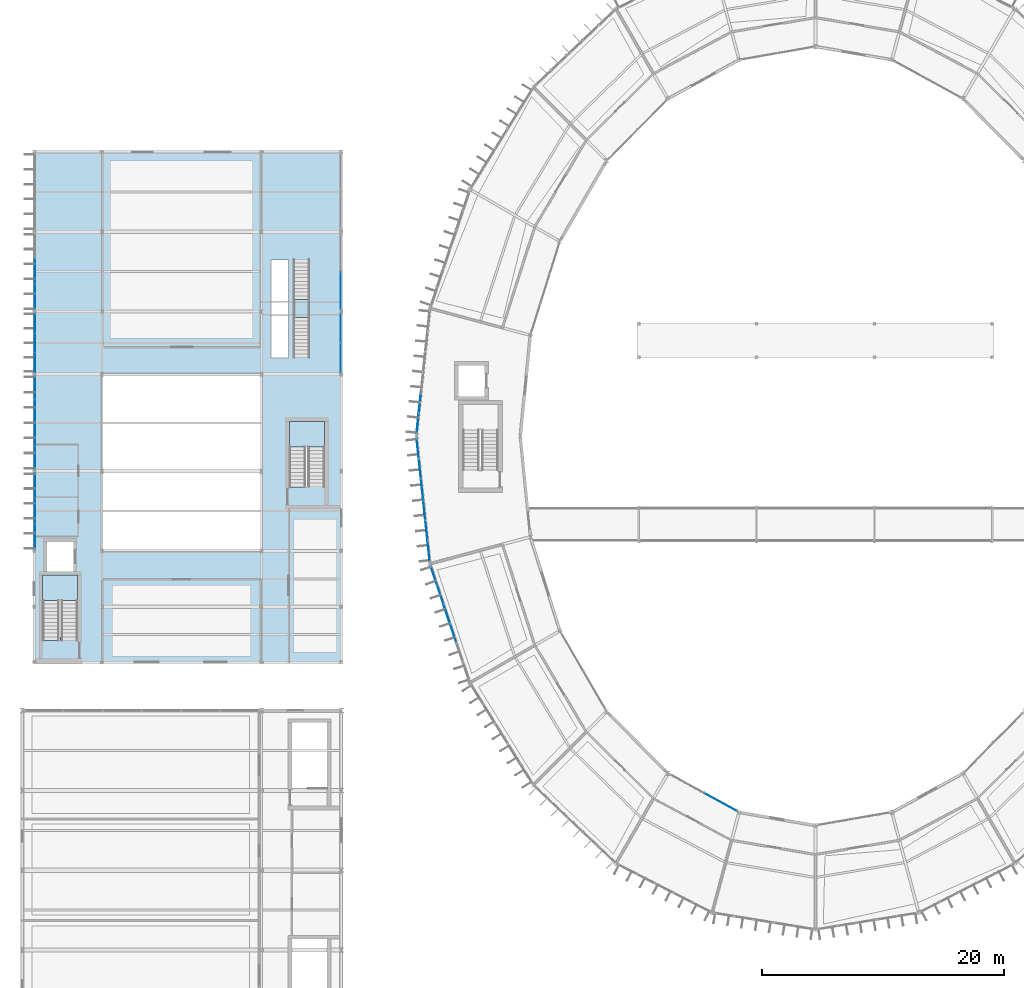
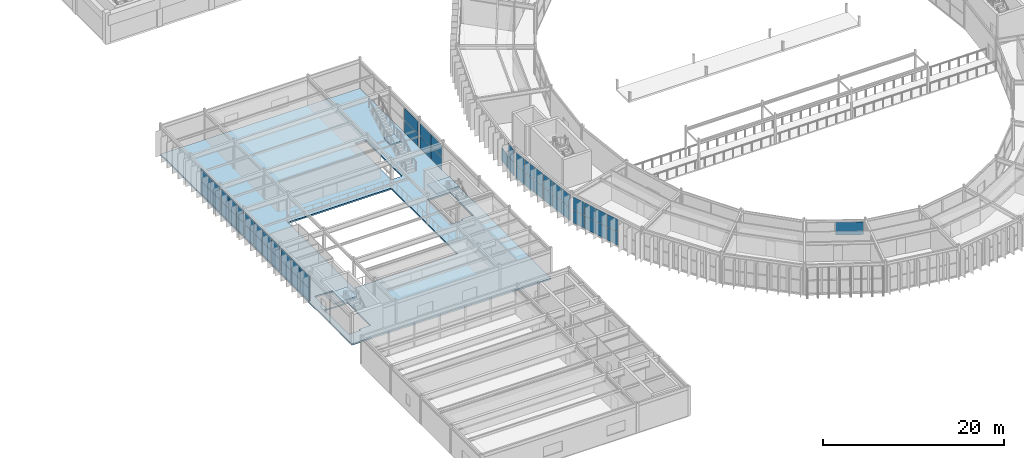
# One storey, part 100 of 147: 54 plates, 4 slabs, 13 elements without a shape of their own.
"""IFC4 building model written with IfcOpenShell, lengths in metres."""

from ifc_helpers import new_model, si_unit, direction, frame, origin, origin_2d, place, context, subcontext, project, spatial, polyline, rectangle, outline, extrude, material, layer, layer_set, type_object, element, aggregate, save


model = new_model("IFC4")

# Units and contexts
model_context = context("Model", 3, precision=1e-05, world=origin(), true_north=direction((0.0, 1.0)))
body_context = subcontext(model_context, "Body", "Model", "MODEL_VIEW")
ifc_project = project(units=[si_unit("LENGTHUNIT", "METRE"), si_unit("AREAUNIT", "SQUARE_METRE"), si_unit("VOLUMEUNIT", "CUBIC_METRE"), si_unit("PLANEANGLEUNIT", "RADIAN"), si_unit("MASSUNIT", "GRAM", prefix="KILO")], contexts=[model_context])

# Site, building, storey
site_placement = place(None, origin())
site = spatial("IfcSite", under=ifc_project, at=site_placement, CompositionType="ELEMENT")
building_placement = place(site_placement, origin())
building = spatial("IfcBuilding", under=site, at=building_placement, Name="Karori Crest Natural Sciences Institute", CompositionType="ELEMENT")
storey_placement = place(building_placement, frame((0.0, 0.0, 9.10009765625)))
storey = spatial("IfcBuildingStorey", under=building, at=storey_placement, Name="L02", CompositionType="ELEMENT", Elevation=9.10009765625)

# Curtain wall, plates
ifc_material_1 = material(Name="Anodised architectural aluminium 6063-T6", Category="aluminium")
curtain_wall_type_1 = type_object("IfcCurtainWallType", Name="CWT-03", PredefinedType="NOTDEFINED", material=ifc_material_1)
curtain_wall_1_placement = place(storey_placement, origin())
curtain_wall_1 = element("IfcCurtainWall", 1, at=curtain_wall_1_placement, inside=storey, type_object=curtain_wall_type_1, Name="Curtain wall CW-0083", PredefinedType="NOTDEFINED")
ifc_material_2 = material(Name="Double low-E laminated glass", Category="glass")
ifc_layer_1 = layer(ifc_material_2, 0.02392578125, Name="Double low-E laminated glass")
ifc_layer_set_1 = layer_set([ifc_layer_1], Name="Double low-E laminated glass")
plate_type_1 = type_object("IfcPlateType", Name="CWP-01", PredefinedType="CURTAIN_PANEL", material=ifc_layer_set_1)
plate_1_placement = place(storey_placement, frame((34.4130859375, 40.385498046875, 0.06494140625), z_axis=(0.0, 0.0, 1.0), x_axis=(-0.105881615789, 0.994378742451, 0.0)))
plate_1 = element("IfcPlate", 2, at=plate_1_placement, type_object=plate_type_1, Name="CW-0083 panel 1.1", PredefinedType="CURTAIN_PANEL", context=body_context, shape_type="SweptSolid", body=[
    extrude(rectangle(XDim=1.60107421875, YDim=0.02392578125, at=origin_2d()), origin(), (0.0, 0.0, 1.0), 1.715087890625),
])
plate_2_placement = place(storey_placement, frame((34.4130859375, 40.385498046875, 1.8447265625), z_axis=(0.0, 0.0, 1.0), x_axis=(-0.105881615789, 0.994378742451, 0.0)))
plate_2 = element("IfcPlate", 3, at=plate_2_placement, type_object=plate_type_1, Name="CW-0083 panel 1.2", PredefinedType="CURTAIN_PANEL", context=body_context, shape_type="SweptSolid", body=[
    extrude(rectangle(XDim=1.60107421875, YDim=0.02392578125, at=origin_2d()), origin(), (0.0, 0.0, 1.0), 1.715087890625),
])
plate_3_placement = place(storey_placement, frame((34.233642578125, 42.07080078125, 0.06494140625), z_axis=(0.0, 0.0, 1.0), x_axis=(-0.105881615789, 0.994378742451, 0.0)))
plate_3 = element("IfcPlate", 4, at=plate_3_placement, type_object=plate_type_1, Name="CW-0083 panel 2.1", PredefinedType="CURTAIN_PANEL", context=body_context, shape_type="SweptSolid", body=[
    extrude(rectangle(XDim=1.638427734375, YDim=0.02392578125, at=origin_2d()), origin(), (0.0, 0.0, 1.0), 1.715087890625),
])
plate_4_placement = place(storey_placement, frame((34.233642578125, 42.07080078125, 1.8447265625), z_axis=(0.0, 0.0, 1.0), x_axis=(-0.105881615789, 0.994378742451, 0.0)))
plate_4 = element("IfcPlate", 5, at=plate_4_placement, type_object=plate_type_1, Name="CW-0083 panel 2.2", PredefinedType="CURTAIN_PANEL", context=body_context, shape_type="SweptSolid", body=[
    extrude(rectangle(XDim=1.638427734375, YDim=0.02392578125, at=origin_2d()), origin(), (0.0, 0.0, 1.0), 1.715087890625),
])
plate_5_placement = place(storey_placement, frame((34.05224609375, 43.77490234375, 0.06494140625), z_axis=(0.0, 0.0, 1.0), x_axis=(-0.105881615789, 0.994378742451, 0.0)))
plate_5 = element("IfcPlate", 6, at=plate_5_placement, type_object=plate_type_1, Name="CW-0083 panel 3.1", PredefinedType="CURTAIN_PANEL", context=body_context, shape_type="SweptSolid", body=[
    extrude(rectangle(XDim=1.638427734375, YDim=0.02392578125, at=origin_2d()), origin(), (0.0, 0.0, 1.0), 1.715087890625),
])
plate_6_placement = place(storey_placement, frame((34.05224609375, 43.77490234375, 1.8447265625), z_axis=(0.0, 0.0, 1.0), x_axis=(-0.105881615789, 0.994378742451, 0.0)))
plate_6 = element("IfcPlate", 7, at=plate_6_placement, type_object=plate_type_1, Name="CW-0083 panel 3.2", PredefinedType="CURTAIN_PANEL", context=body_context, shape_type="SweptSolid", body=[
    extrude(rectangle(XDim=1.638427734375, YDim=0.02392578125, at=origin_2d()), origin(), (0.0, 0.0, 1.0), 1.715087890625),
])
plate_7_placement = place(storey_placement, frame((33.870849609375, 45.478759765625, 0.06494140625), z_axis=(0.0, 0.0, 1.0), x_axis=(-0.105881615789, 0.994378742451, 0.0)))
plate_7 = element("IfcPlate", 8, at=plate_7_placement, type_object=plate_type_1, Name="CW-0083 panel 4.1", PredefinedType="CURTAIN_PANEL", context=body_context, shape_type="SweptSolid", body=[
    extrude(rectangle(XDim=1.638427734375, YDim=0.02392578125, at=origin_2d()), origin(), (0.0, 0.0, 1.0), 1.715087890625),
])
plate_8_placement = place(storey_placement, frame((33.870849609375, 45.478759765625, 1.8447265625), z_axis=(0.0, 0.0, 1.0), x_axis=(-0.105881615789, 0.994378742451, 0.0)))
plate_8 = element("IfcPlate", 9, at=plate_8_placement, type_object=plate_type_1, Name="CW-0083 panel 4.2", PredefinedType="CURTAIN_PANEL", context=body_context, shape_type="SweptSolid", body=[
    extrude(rectangle(XDim=1.638427734375, YDim=0.02392578125, at=origin_2d()), origin(), (0.0, 0.0, 1.0), 1.715087890625),
])
plate_9_placement = place(storey_placement, frame((33.689453125, 47.1826171875, 0.06494140625), z_axis=(0.0, 0.0, 1.0), x_axis=(-0.105881615789, 0.994378742451, 0.0)))
plate_9 = element("IfcPlate", 10, at=plate_9_placement, type_object=plate_type_1, Name="CW-0083 panel 5.1", PredefinedType="CURTAIN_PANEL", context=body_context, shape_type="SweptSolid", body=[
    extrude(rectangle(XDim=1.638427734375, YDim=0.02392578125, at=origin_2d()), origin(), (0.0, 0.0, 1.0), 1.715087890625),
])
plate_10_placement = place(storey_placement, frame((33.689453125, 47.1826171875, 1.8447265625), z_axis=(0.0, 0.0, 1.0), x_axis=(-0.105881615789, 0.994378742451, 0.0)))
plate_10 = element("IfcPlate", 11, at=plate_10_placement, type_object=plate_type_1, Name="CW-0083 panel 5.2", PredefinedType="CURTAIN_PANEL", context=body_context, shape_type="SweptSolid", body=[
    extrude(rectangle(XDim=1.638427734375, YDim=0.02392578125, at=origin_2d()), origin(), (0.0, 0.0, 1.0), 1.715087890625),
])
plate_11_placement = place(storey_placement, frame((33.510009765625, 48.867919921875, 0.06494140625), z_axis=(0.0, 0.0, 1.0), x_axis=(-0.105881615789, 0.994378742451, 0.0)))
plate_11 = element("IfcPlate", 12, at=plate_11_placement, type_object=plate_type_1, Name="CW-0083 panel 6.1", PredefinedType="CURTAIN_PANEL", context=body_context, shape_type="SweptSolid", body=[
    extrude(rectangle(XDim=1.60107421875, YDim=0.02392578125, at=origin_2d()), origin(), (0.0, 0.0, 1.0), 1.715087890625),
])
plate_12_placement = place(storey_placement, frame((33.510009765625, 48.867919921875, 1.8447265625), z_axis=(0.0, 0.0, 1.0), x_axis=(-0.105881615789, 0.994378742451, 0.0)))
plate_12 = element("IfcPlate", 13, at=plate_12_placement, type_object=plate_type_1, Name="CW-0083 panel 6.2", PredefinedType="CURTAIN_PANEL", context=body_context, shape_type="SweptSolid", body=[
    extrude(rectangle(XDim=1.60107421875, YDim=0.02392578125, at=origin_2d()), origin(), (0.0, 0.0, 1.0), 1.715087890625),
])
aggregate(curtain_wall_1, [plate_1, plate_2, plate_3, plate_4, plate_5, plate_6, plate_7, plate_8, plate_9, plate_10, plate_11, plate_12])

# Curtain wall, plate
curtain_wall_type_2 = type_object("IfcCurtainWallType", Name="CWT-12", PredefinedType="NOTDEFINED", material=ifc_material_1)
curtain_wall_2_placement = place(storey_placement, origin())
curtain_wall_2 = element("IfcCurtainWall", 14, at=curtain_wall_2_placement, inside=storey, type_object=curtain_wall_type_2, Name="Curtain wall CW-0089", PredefinedType="NOTDEFINED")
plate_13_placement = place(storey_placement, frame((58.548583984375, 19.636962890625, 1.85498046875), z_axis=(0.0, 0.0, 1.0), x_axis=(0.877463514084, -0.479643389875, 0.0)))
plate_13 = element("IfcPlate", 15, at=plate_13_placement, type_object=plate_type_1, Name="CW-0089 panel 2.2", PredefinedType="CURTAIN_PANEL", context=body_context, shape_type="SweptSolid", body=[
    extrude(rectangle(XDim=3.102783203125, YDim=0.02392578125, at=origin_2d()), origin(), (0.0, 0.0, 1.0), 1.735107421875),
])
aggregate(curtain_wall_2, [plate_13])

# Curtain wall, plates
curtain_wall_type_3 = type_object("IfcCurtainWallType", Name="CWT-17", PredefinedType="NOTDEFINED", material=ifc_material_1)
curtain_wall_3_placement = place(storey_placement, origin())
curtain_wall_3 = element("IfcCurtainWall", 16, at=curtain_wall_3_placement, inside=storey, type_object=curtain_wall_type_3, Name="Curtain wall CW-0270", PredefinedType="NOTDEFINED")
plate_14_placement = place(storey_placement, frame((1.860107421875, 41.59814453125, 0.06005859375), z_axis=(0.0, 0.0, 1.0), x_axis=(0.0, 1.0, 0.0)))
plate_14 = element("IfcPlate", 17, at=plate_14_placement, type_object=plate_type_1, Name="CW-0270 panel 1.1", PredefinedType="CURTAIN_PANEL", context=body_context, shape_type="SweptSolid", body=[
    extrude(rectangle(XDim=2.0205078125, YDim=0.02392578125, at=origin_2d()), origin(), (0.0, 0.0, 1.0), 1.632568359375),
])
plate_15_placement = place(storey_placement, frame((1.860107421875, 41.59814453125, 1.75244140625), z_axis=(0.0, 0.0, 1.0), x_axis=(0.0, 1.0, 0.0)))
plate_15 = element("IfcPlate", 18, at=plate_15_placement, type_object=plate_type_1, Name="CW-0270 panel 1.2", PredefinedType="CURTAIN_PANEL", context=body_context, shape_type="SweptSolid", body=[
    extrude(rectangle(XDim=2.0205078125, YDim=0.02392578125, at=origin_2d()), origin(), (0.0, 0.0, 1.0), 1.632568359375),
])
plate_16_placement = place(storey_placement, frame((1.860107421875, 43.699951171875, 0.06005859375), z_axis=(0.0, 0.0, 1.0), x_axis=(0.0, 1.0, 0.0)))
plate_16 = element("IfcPlate", 19, at=plate_16_placement, type_object=plate_type_1, Name="CW-0270 panel 2.1", PredefinedType="CURTAIN_PANEL", context=body_context, shape_type="SweptSolid", body=[
    extrude(rectangle(XDim=2.052978515625, YDim=0.02392578125, at=origin_2d()), origin(), (0.0, 0.0, 1.0), 1.632568359375),
])
plate_17_placement = place(storey_placement, frame((1.860107421875, 43.699951171875, 1.75244140625), z_axis=(0.0, 0.0, 1.0), x_axis=(0.0, 1.0, 0.0)))
plate_17 = element("IfcPlate", 20, at=plate_17_placement, type_object=plate_type_1, Name="CW-0270 panel 2.2", PredefinedType="CURTAIN_PANEL", context=body_context, shape_type="SweptSolid", body=[
    extrude(rectangle(XDim=2.052978515625, YDim=0.02392578125, at=origin_2d()), origin(), (0.0, 0.0, 1.0), 1.632568359375),
])
plate_18_placement = place(storey_placement, frame((1.860107421875, 45.8017578125, 0.06005859375), z_axis=(0.0, 0.0, 1.0), x_axis=(0.0, 1.0, 0.0)))
plate_18 = element("IfcPlate", 21, at=plate_18_placement, type_object=plate_type_1, Name="CW-0270 panel 3.1", PredefinedType="CURTAIN_PANEL", context=body_context, shape_type="SweptSolid", body=[
    extrude(rectangle(XDim=2.0205078125, YDim=0.02392578125, at=origin_2d()), origin(), (0.0, 0.0, 1.0), 1.632568359375),
])
plate_19_placement = place(storey_placement, frame((1.860107421875, 45.8017578125, 1.75244140625), z_axis=(0.0, 0.0, 1.0), x_axis=(0.0, 1.0, 0.0)))
plate_19 = element("IfcPlate", 22, at=plate_19_placement, type_object=plate_type_1, Name="CW-0270 panel 3.2", PredefinedType="CURTAIN_PANEL", context=body_context, shape_type="SweptSolid", body=[
    extrude(rectangle(XDim=2.0205078125, YDim=0.02392578125, at=origin_2d()), origin(), (0.0, 0.0, 1.0), 1.632568359375),
])
aggregate(curtain_wall_3, [plate_14, plate_15, plate_16, plate_17, plate_18, plate_19])

curtain_wall_4_placement = place(storey_placement, origin())
curtain_wall_4 = element("IfcCurtainWall", 23, at=curtain_wall_4_placement, inside=storey, type_object=curtain_wall_type_3, Name="Curtain wall CW-0271", PredefinedType="NOTDEFINED")
plate_20_placement = place(storey_placement, frame((1.860107421875, 48.1083984375, 0.06005859375), z_axis=(0.0, 0.0, 1.0), x_axis=(0.0, 1.0, 0.0)))
plate_20 = element("IfcPlate", 24, at=plate_20_placement, type_object=plate_type_1, Name="CW-0271 panel 1.1", PredefinedType="CURTAIN_PANEL", context=body_context, shape_type="SweptSolid", body=[
    extrude(rectangle(XDim=1.841064453125, YDim=0.02392578125, at=origin_2d()), origin(), (0.0, 0.0, 1.0), 1.632568359375),
])
plate_21_placement = place(storey_placement, frame((1.860107421875, 48.1083984375, 1.75244140625), z_axis=(0.0, 0.0, 1.0), x_axis=(0.0, 1.0, 0.0)))
plate_21 = element("IfcPlate", 25, at=plate_21_placement, type_object=plate_type_1, Name="CW-0271 panel 1.2", PredefinedType="CURTAIN_PANEL", context=body_context, shape_type="SweptSolid", body=[
    extrude(rectangle(XDim=1.841064453125, YDim=0.02392578125, at=origin_2d()), origin(), (0.0, 0.0, 1.0), 1.632568359375),
])
plate_22_placement = place(storey_placement, frame((1.860107421875, 50.03076171875, 0.06005859375), z_axis=(0.0, 0.0, 1.0), x_axis=(0.0, 1.0, 0.0)))
plate_22 = element("IfcPlate", 26, at=plate_22_placement, type_object=plate_type_1, Name="CW-0271 panel 2.1", PredefinedType="CURTAIN_PANEL", context=body_context, shape_type="SweptSolid", body=[
    extrude(rectangle(XDim=1.87353515625, YDim=0.02392578125, at=origin_2d()), origin(), (0.0, 0.0, 1.0), 1.632568359375),
])
plate_23_placement = place(storey_placement, frame((1.860107421875, 50.03076171875, 1.75244140625), z_axis=(0.0, 0.0, 1.0), x_axis=(0.0, 1.0, 0.0)))
plate_23 = element("IfcPlate", 27, at=plate_23_placement, type_object=plate_type_1, Name="CW-0271 panel 2.2", PredefinedType="CURTAIN_PANEL", context=body_context, shape_type="SweptSolid", body=[
    extrude(rectangle(XDim=1.87353515625, YDim=0.02392578125, at=origin_2d()), origin(), (0.0, 0.0, 1.0), 1.632568359375),
])
plate_24_placement = place(storey_placement, frame((1.860107421875, 51.96923828125, 0.06005859375), z_axis=(0.0, 0.0, 1.0), x_axis=(0.0, 1.0, 0.0)))
plate_24 = element("IfcPlate", 28, at=plate_24_placement, type_object=plate_type_1, Name="CW-0271 panel 3.1", PredefinedType="CURTAIN_PANEL", context=body_context, shape_type="SweptSolid", body=[
    extrude(rectangle(XDim=1.87353515625, YDim=0.02392578125, at=origin_2d()), origin(), (0.0, 0.0, 1.0), 1.632568359375),
])
plate_25_placement = place(storey_placement, frame((1.860107421875, 51.96923828125, 1.75244140625), z_axis=(0.0, 0.0, 1.0), x_axis=(0.0, 1.0, 0.0)))
plate_25 = element("IfcPlate", 29, at=plate_25_placement, type_object=plate_type_1, Name="CW-0271 panel 3.2", PredefinedType="CURTAIN_PANEL", context=body_context, shape_type="SweptSolid", body=[
    extrude(rectangle(XDim=1.87353515625, YDim=0.02392578125, at=origin_2d()), origin(), (0.0, 0.0, 1.0), 1.632568359375),
])
plate_26_placement = place(storey_placement, frame((1.860107421875, 53.8916015625, 0.06005859375), z_axis=(0.0, 0.0, 1.0), x_axis=(0.0, 1.0, 0.0)))
plate_26 = element("IfcPlate", 30, at=plate_26_placement, type_object=plate_type_1, Name="CW-0271 panel 4.1", PredefinedType="CURTAIN_PANEL", context=body_context, shape_type="SweptSolid", body=[
    extrude(rectangle(XDim=1.841064453125, YDim=0.02392578125, at=origin_2d()), origin(), (0.0, 0.0, 1.0), 1.632568359375),
])
plate_27_placement = place(storey_placement, frame((1.860107421875, 53.8916015625, 1.75244140625), z_axis=(0.0, 0.0, 1.0), x_axis=(0.0, 1.0, 0.0)))
plate_27 = element("IfcPlate", 31, at=plate_27_placement, type_object=plate_type_1, Name="CW-0271 panel 4.2", PredefinedType="CURTAIN_PANEL", context=body_context, shape_type="SweptSolid", body=[
    extrude(rectangle(XDim=1.841064453125, YDim=0.02392578125, at=origin_2d()), origin(), (0.0, 0.0, 1.0), 1.632568359375),
])
aggregate(curtain_wall_4, [plate_20, plate_21, plate_22, plate_23, plate_24, plate_25, plate_26, plate_27])

curtain_wall_5_placement = place(storey_placement, origin())
curtain_wall_5 = element("IfcCurtainWall", 32, at=curtain_wall_5_placement, inside=storey, type_object=curtain_wall_type_3, Name="Curtain wall CW-0272", PredefinedType="NOTDEFINED")
plate_28_placement = place(storey_placement, frame((1.860107421875, 55.96484375, 0.06005859375), z_axis=(0.0, 0.0, 1.0), x_axis=(0.0, 1.0, 0.0)))
plate_28 = element("IfcPlate", 33, at=plate_28_placement, type_object=plate_type_1, Name="CW-0272 panel 1.1", PredefinedType="CURTAIN_PANEL", context=body_context, shape_type="SweptSolid", body=[
    extrude(rectangle(XDim=1.553955078125, YDim=0.02392578125, at=origin_2d()), origin(), (0.0, 0.0, 1.0), 1.632568359375),
])
plate_29_placement = place(storey_placement, frame((1.860107421875, 55.96484375, 1.75244140625), z_axis=(0.0, 0.0, 1.0), x_axis=(0.0, 1.0, 0.0)))
plate_29 = element("IfcPlate", 34, at=plate_29_placement, type_object=plate_type_1, Name="CW-0272 panel 1.2", PredefinedType="CURTAIN_PANEL", context=body_context, shape_type="SweptSolid", body=[
    extrude(rectangle(XDim=1.553955078125, YDim=0.02392578125, at=origin_2d()), origin(), (0.0, 0.0, 1.0), 1.632568359375),
])
plate_30_placement = place(storey_placement, frame((1.860107421875, 57.60009765625, 0.06005859375), z_axis=(0.0, 0.0, 1.0), x_axis=(0.0, 1.0, 0.0)))
plate_30 = element("IfcPlate", 35, at=plate_30_placement, type_object=plate_type_1, Name="CW-0272 panel 2.1", PredefinedType="CURTAIN_PANEL", context=body_context, shape_type="SweptSolid", body=[
    extrude(rectangle(XDim=1.58642578125, YDim=0.02392578125, at=origin_2d()), origin(), (0.0, 0.0, 1.0), 1.632568359375),
])
plate_31_placement = place(storey_placement, frame((1.860107421875, 57.60009765625, 1.75244140625), z_axis=(0.0, 0.0, 1.0), x_axis=(0.0, 1.0, 0.0)))
plate_31 = element("IfcPlate", 36, at=plate_31_placement, type_object=plate_type_1, Name="CW-0272 panel 2.2", PredefinedType="CURTAIN_PANEL", context=body_context, shape_type="SweptSolid", body=[
    extrude(rectangle(XDim=1.58642578125, YDim=0.02392578125, at=origin_2d()), origin(), (0.0, 0.0, 1.0), 1.632568359375),
])
plate_32_placement = place(storey_placement, frame((1.860107421875, 59.235107421875, 0.06005859375), z_axis=(0.0, 0.0, 1.0), x_axis=(0.0, 1.0, 0.0)))
plate_32 = element("IfcPlate", 37, at=plate_32_placement, type_object=plate_type_1, Name="CW-0272 panel 3.1", PredefinedType="CURTAIN_PANEL", context=body_context, shape_type="SweptSolid", body=[
    extrude(rectangle(XDim=1.553955078125, YDim=0.02392578125, at=origin_2d()), origin(), (0.0, 0.0, 1.0), 1.632568359375),
])
plate_33_placement = place(storey_placement, frame((1.860107421875, 59.235107421875, 1.75244140625), z_axis=(0.0, 0.0, 1.0), x_axis=(0.0, 1.0, 0.0)))
plate_33 = element("IfcPlate", 38, at=plate_33_placement, type_object=plate_type_1, Name="CW-0272 panel 3.2", PredefinedType="CURTAIN_PANEL", context=body_context, shape_type="SweptSolid", body=[
    extrude(rectangle(XDim=1.553955078125, YDim=0.02392578125, at=origin_2d()), origin(), (0.0, 0.0, 1.0), 1.632568359375),
])
aggregate(curtain_wall_5, [plate_28, plate_29, plate_30, plate_31, plate_32, plate_33])

curtain_wall_6_placement = place(storey_placement, origin())
curtain_wall_6 = element("IfcCurtainWall", 39, at=curtain_wall_6_placement, inside=storey, type_object=curtain_wall_type_3, Name="Curtain wall CW-0273", PredefinedType="NOTDEFINED")
plate_34_placement = place(storey_placement, frame((1.860107421875, 61.398193359375, 0.06005859375), z_axis=(0.0, 0.0, 1.0), x_axis=(0.0, 1.0, 0.0)))
plate_34 = element("IfcPlate", 40, at=plate_34_placement, type_object=plate_type_1, Name="CW-0273 panel 1.1", PredefinedType="CURTAIN_PANEL", context=body_context, shape_type="SweptSolid", body=[
    extrude(rectangle(XDim=2.0205078125, YDim=0.02392578125, at=origin_2d()), origin(), (0.0, 0.0, 1.0), 1.632568359375),
])
plate_35_placement = place(storey_placement, frame((1.860107421875, 61.398193359375, 1.75244140625), z_axis=(0.0, 0.0, 1.0), x_axis=(0.0, 1.0, 0.0)))
plate_35 = element("IfcPlate", 41, at=plate_35_placement, type_object=plate_type_1, Name="CW-0273 panel 1.2", PredefinedType="CURTAIN_PANEL", context=body_context, shape_type="SweptSolid", body=[
    extrude(rectangle(XDim=2.0205078125, YDim=0.02392578125, at=origin_2d()), origin(), (0.0, 0.0, 1.0), 1.632568359375),
])
plate_36_placement = place(storey_placement, frame((1.860107421875, 63.5, 0.06005859375), z_axis=(0.0, 0.0, 1.0), x_axis=(0.0, 1.0, 0.0)))
plate_36 = element("IfcPlate", 42, at=plate_36_placement, type_object=plate_type_1, Name="CW-0273 panel 2.1", PredefinedType="CURTAIN_PANEL", context=body_context, shape_type="SweptSolid", body=[
    extrude(rectangle(XDim=2.052978515625, YDim=0.02392578125, at=origin_2d()), origin(), (0.0, 0.0, 1.0), 1.632568359375),
])
plate_37_placement = place(storey_placement, frame((1.860107421875, 63.5, 1.75244140625), z_axis=(0.0, 0.0, 1.0), x_axis=(0.0, 1.0, 0.0)))
plate_37 = element("IfcPlate", 43, at=plate_37_placement, type_object=plate_type_1, Name="CW-0273 panel 2.2", PredefinedType="CURTAIN_PANEL", context=body_context, shape_type="SweptSolid", body=[
    extrude(rectangle(XDim=2.052978515625, YDim=0.02392578125, at=origin_2d()), origin(), (0.0, 0.0, 1.0), 1.632568359375),
])
aggregate(curtain_wall_6, [plate_34, plate_35, plate_36, plate_37])

curtain_wall_type_4 = type_object("IfcCurtainWallType", Name="CWT-18", PredefinedType="NOTDEFINED", material=ifc_material_1)
curtain_wall_7_placement = place(storey_placement, origin())
curtain_wall_7 = element("IfcCurtainWall", 44, at=curtain_wall_7_placement, inside=storey, type_object=curtain_wall_type_4, Name="Curtain wall CW-0275", PredefinedType="NOTDEFINED")
plate_38_placement = place(storey_placement, frame((27.139892578125, 58.822265625, 0.06005859375), z_axis=(0.0, 0.0, 1.0), x_axis=(0.0, -1.0, 0.0)))
plate_38 = element("IfcPlate", 45, at=plate_38_placement, type_object=plate_type_1, Name="CW-0275 panel 1.1", PredefinedType="CURTAIN_PANEL", context=body_context, shape_type="SweptSolid", body=[
    extrude(rectangle(XDim=2.37939453125, YDim=0.02392578125, at=origin_2d()), origin(), (0.0, 0.0, 1.0), 1.632568359375),
])
plate_39_placement = place(storey_placement, frame((27.139892578125, 58.822265625, 1.75244140625), z_axis=(0.0, 0.0, 1.0), x_axis=(0.0, -1.0, 0.0)))
plate_39 = element("IfcPlate", 46, at=plate_39_placement, type_object=plate_type_1, Name="CW-0275 panel 1.2", PredefinedType="CURTAIN_PANEL", context=body_context, shape_type="SweptSolid", body=[
    extrude(rectangle(XDim=2.37939453125, YDim=0.02392578125, at=origin_2d()), origin(), (0.0, 0.0, 1.0), 1.632568359375),
])
plate_40_placement = place(storey_placement, frame((27.139892578125, 56.377685546875, 0.06005859375), z_axis=(0.0, 0.0, 1.0), x_axis=(0.0, -1.0, 0.0)))
plate_40 = element("IfcPlate", 47, at=plate_40_placement, type_object=plate_type_1, Name="CW-0275 panel 2.1", PredefinedType="CURTAIN_PANEL", context=body_context, shape_type="SweptSolid", body=[
    extrude(rectangle(XDim=2.37939453125, YDim=0.02392578125, at=origin_2d()), origin(), (0.0, 0.0, 1.0), 1.632568359375),
])
plate_41_placement = place(storey_placement, frame((27.139892578125, 56.377685546875, 1.75244140625), z_axis=(0.0, 0.0, 1.0), x_axis=(0.0, -1.0, 0.0)))
plate_41 = element("IfcPlate", 48, at=plate_41_placement, type_object=plate_type_1, Name="CW-0275 panel 2.2", PredefinedType="CURTAIN_PANEL", context=body_context, shape_type="SweptSolid", body=[
    extrude(rectangle(XDim=2.37939453125, YDim=0.02392578125, at=origin_2d()), origin(), (0.0, 0.0, 1.0), 1.632568359375),
])
aggregate(curtain_wall_7, [plate_38, plate_39, plate_40, plate_41])

curtain_wall_8_placement = place(storey_placement, origin())
curtain_wall_8 = element("IfcCurtainWall", 49, at=curtain_wall_8_placement, inside=storey, type_object=curtain_wall_type_4, Name="Curtain wall CW-0276", PredefinedType="NOTDEFINED")
plate_42_placement = place(storey_placement, frame((27.139892578125, 61.927734375, 0.06005859375), z_axis=(0.0, 0.0, 1.0), x_axis=(0.0, -1.0, 0.0)))
plate_42 = element("IfcPlate", 50, at=plate_42_placement, type_object=plate_type_1, Name="CW-0276 panel 2.1", PredefinedType="CURTAIN_PANEL", context=body_context, shape_type="SweptSolid", body=[
    extrude(rectangle(XDim=3.07958984375, YDim=0.02392578125, at=origin_2d()), origin(), (0.0, 0.0, 1.0), 1.632568359375),
])
plate_43_placement = place(storey_placement, frame((27.139892578125, 61.927734375, 1.75244140625), z_axis=(0.0, 0.0, 1.0), x_axis=(0.0, -1.0, 0.0)))
plate_43 = element("IfcPlate", 51, at=plate_43_placement, type_object=plate_type_1, Name="CW-0276 panel 2.2", PredefinedType="CURTAIN_PANEL", context=body_context, shape_type="SweptSolid", body=[
    extrude(rectangle(XDim=3.07958984375, YDim=0.02392578125, at=origin_2d()), origin(), (0.0, 0.0, 1.0), 1.632568359375),
])
aggregate(curtain_wall_8, [plate_42, plate_43])

curtain_wall_type_5 = type_object("IfcCurtainWallType", Name="CWT-04", PredefinedType="NOTDEFINED", material=ifc_material_1)
curtain_wall_9_placement = place(storey_placement, origin())
curtain_wall_9 = element("IfcCurtainWall", 52, at=curtain_wall_9_placement, inside=storey, type_object=curtain_wall_type_5, Name="Curtain wall CW-0084", PredefinedType="NOTDEFINED")
ifc_layer_2 = layer(ifc_material_2, 0.033935546875, Name="Double low-E laminated glass")
ifc_layer_set_2 = layer_set([ifc_layer_2], Name="Double low-E laminated glass")
plate_type_2 = type_object("IfcPlateType", Name="CWP-02", PredefinedType="CURTAIN_PANEL", material=ifc_layer_set_2)
plate_44_placement = place(storey_placement, frame((36.441162109375, 33.619140625, 0.06005859375), z_axis=(0.0, 0.0, 1.0), x_axis=(-0.317685267462, 0.948196219586, 0.0)))
plate_44 = element("IfcPlate", 53, at=plate_44_placement, type_object=plate_type_2, Name="CW-0084 panel 3.1", PredefinedType="CURTAIN_PANEL", context=body_context, shape_type="SweptSolid", body=[
    extrude(rectangle(XDim=1.5986328125, YDim=0.033935546875, at=origin_2d()), origin(), (0.0, 0.0, 1.0), 1.722412109375),
])
plate_45_placement = place(storey_placement, frame((36.441162109375, 33.619140625, 1.84228515625), z_axis=(0.0, 0.0, 1.0), x_axis=(-0.317685267462, 0.948196219586, 0.0)))
plate_45 = element("IfcPlate", 54, at=plate_45_placement, type_object=plate_type_2, Name="CW-0084 panel 3.2", PredefinedType="CURTAIN_PANEL", context=body_context, shape_type="SweptSolid", body=[
    extrude(rectangle(XDim=1.5986328125, YDim=0.033935546875, at=origin_2d()), origin(), (0.0, 0.0, 1.0), 1.722412109375),
])
plate_46_placement = place(storey_placement, frame((35.909423828125, 35.2060546875, 0.06005859375), z_axis=(0.0, 0.0, 1.0), x_axis=(-0.317685267462, 0.948196219586, 0.0)))
plate_46 = element("IfcPlate", 55, at=plate_46_placement, type_object=plate_type_2, Name="CW-0084 panel 4.1", PredefinedType="CURTAIN_PANEL", context=body_context, shape_type="SweptSolid", body=[
    extrude(rectangle(XDim=1.5986328125, YDim=0.033935546875, at=origin_2d()), origin(), (0.0, 0.0, 1.0), 1.722412109375),
])
plate_47_placement = place(storey_placement, frame((35.909423828125, 35.2060546875, 1.84228515625), z_axis=(0.0, 0.0, 1.0), x_axis=(-0.317685267462, 0.948196219586, 0.0)))
plate_47 = element("IfcPlate", 56, at=plate_47_placement, type_object=plate_type_2, Name="CW-0084 panel 4.2", PredefinedType="CURTAIN_PANEL", context=body_context, shape_type="SweptSolid", body=[
    extrude(rectangle(XDim=1.5986328125, YDim=0.033935546875, at=origin_2d()), origin(), (0.0, 0.0, 1.0), 1.722412109375),
])
plate_48_placement = place(storey_placement, frame((35.377685546875, 36.79296875, 0.06005859375), z_axis=(0.0, 0.0, 1.0), x_axis=(-0.317685267462, 0.948196219586, 0.0)))
plate_48 = element("IfcPlate", 57, at=plate_48_placement, type_object=plate_type_2, Name="CW-0084 panel 5.1", PredefinedType="CURTAIN_PANEL", context=body_context, shape_type="SweptSolid", body=[
    extrude(rectangle(XDim=1.5986328125, YDim=0.033935546875, at=origin_2d()), origin(), (0.0, 0.0, 1.0), 1.722412109375),
])
plate_49_placement = place(storey_placement, frame((35.377685546875, 36.79296875, 1.84228515625), z_axis=(0.0, 0.0, 1.0), x_axis=(-0.317685267462, 0.948196219586, 0.0)))
plate_49 = element("IfcPlate", 58, at=plate_49_placement, type_object=plate_type_2, Name="CW-0084 panel 5.2", PredefinedType="CURTAIN_PANEL", context=body_context, shape_type="SweptSolid", body=[
    extrude(rectangle(XDim=1.5986328125, YDim=0.033935546875, at=origin_2d()), origin(), (0.0, 0.0, 1.0), 1.722412109375),
])
plate_50_placement = place(storey_placement, frame((34.85205078125, 38.3623046875, 0.06005859375), z_axis=(0.0, 0.0, 1.0), x_axis=(-0.317685267462, 0.948196219586, 0.0)))
plate_50 = element("IfcPlate", 59, at=plate_50_placement, type_object=plate_type_2, Name="CW-0084 panel 6.1", PredefinedType="CURTAIN_PANEL", context=body_context, shape_type="SweptSolid", body=[
    extrude(rectangle(XDim=1.561279296875, YDim=0.033935546875, at=origin_2d()), origin(), (0.0, 0.0, 1.0), 1.722412109375),
])
plate_51_placement = place(storey_placement, frame((34.85205078125, 38.3623046875, 1.84228515625), z_axis=(0.0, 0.0, 1.0), x_axis=(-0.317685267462, 0.948196219586, 0.0)))
plate_51 = element("IfcPlate", 60, at=plate_51_placement, type_object=plate_type_2, Name="CW-0084 panel 6.2", PredefinedType="CURTAIN_PANEL", context=body_context, shape_type="SweptSolid", body=[
    extrude(rectangle(XDim=1.561279296875, YDim=0.033935546875, at=origin_2d()), origin(), (0.0, 0.0, 1.0), 1.722412109375),
])
aggregate(curtain_wall_9, [plate_44, plate_45, plate_46, plate_47, plate_48, plate_49, plate_50, plate_51])

curtain_wall_type_6 = type_object("IfcCurtainWallType", Name="CWT-02", PredefinedType="NOTDEFINED", material=ifc_material_1)
curtain_wall_10_placement = place(storey_placement, origin())
curtain_wall_10 = element("IfcCurtainWall", 61, at=curtain_wall_10_placement, inside=storey, type_object=curtain_wall_type_6, Name="Curtain wall CW-0082", PredefinedType="NOTDEFINED")
ifc_layer_3 = layer(ifc_material_2, 0.0439453125, Name="Double low-E laminated glass")
ifc_layer_set_3 = layer_set([ifc_layer_3], Name="Double low-E laminated glass")
plate_type_3 = type_object("IfcPlateType", Name="CWP-03", PredefinedType="CURTAIN_PANEL", material=ifc_layer_set_3)
plate_52_placement = place(storey_placement, frame((33.510009765625, 50.933349609375, 0.06005859375), z_axis=(0.0, 0.0, 1.0), x_axis=(0.105884329618, 0.994378453478, 0.0)))
plate_52 = element("IfcPlate", 62, at=plate_52_placement, type_object=plate_type_3, Name="CW-0082 panel 1.1", PredefinedType="CURTAIN_PANEL", context=body_context, shape_type="SweptSolid", body=[
    extrude(rectangle(XDim=1.603759765625, YDim=0.0439453125, at=origin_2d()), origin(), (0.0, 0.0, 1.0), 1.722412109375),
])
plate_53_placement = place(storey_placement, frame((33.510009765625, 50.933349609375, 1.84228515625), z_axis=(0.0, 0.0, 1.0), x_axis=(0.105884329618, 0.994378453478, 0.0)))
plate_53 = element("IfcPlate", 63, at=plate_53_placement, type_object=plate_type_3, Name="CW-0082 panel 1.2", PredefinedType="CURTAIN_PANEL", context=body_context, shape_type="SweptSolid", body=[
    extrude(rectangle(XDim=1.603759765625, YDim=0.0439453125, at=origin_2d()), origin(), (0.0, 0.0, 1.0), 1.722412109375),
])
plate_54_placement = place(storey_placement, frame((33.689697265625, 52.621337890625, 0.06005859375), z_axis=(0.0, 0.0, 1.0), x_axis=(0.105884329618, 0.994378453478, 0.0)))
plate_54 = element("IfcPlate", 64, at=plate_54_placement, type_object=plate_type_3, Name="CW-0082 panel 2.1", PredefinedType="CURTAIN_PANEL", context=body_context, shape_type="SweptSolid", body=[
    extrude(rectangle(XDim=1.64111328125, YDim=0.0439453125, at=origin_2d()), origin(), (0.0, 0.0, 1.0), 1.722412109375),
])
aggregate(curtain_wall_10, [plate_52, plate_53, plate_54])

# Slab
ifc_material_3 = material(Name="Concrete 40 MPa", Category="concrete")
ifc_layer_4 = layer(ifc_material_3, 0.199951171875, Name="Concrete 40 MPa")
ifc_layer_set_4 = layer_set([ifc_layer_4], Name="Concrete 40 MPa")
slab_type_1 = type_object("IfcSlabType", Name="SLT-08", PredefinedType="FLOOR", material=ifc_layer_set_4)
slab_1_placement = place(storey_placement, frame((0.0, 0.0, -0.2001953125)))
element("IfcSlab", 65, at=slab_1_placement, inside=storey, type_object=slab_type_1, Name="V3 Slab SL-0119", PredefinedType="FLOOR", context=body_context, shape_type="SweptSolid", body=[
    extrude(outline(polyline([(1.800048828125, 31.199951171875), (27.199951171875, 31.199951171875), (27.199951171875, 73.39990234375), (1.800048828125, 73.39990234375), (1.800048828125, 31.199951171875)]), holes=[polyline([(7.39990234375, 55.0), (20.60009765625, 55.0), (20.60009765625, 40.39990234375), (7.39990234375, 40.39990234375), (7.39990234375, 55.0)]), polyline([(5.39990234375, 33.280029296875), (3.949951171875, 33.280029296875), (3.949951171875, 33.00048828125), (2.5, 33.00048828125), (2.5, 38.39990234375), (5.39990234375, 38.39990234375), (5.39990234375, 33.280029296875)]), polyline([(25.800048828125, 45.97998046875), (24.35009765625, 45.97998046875), (24.35009765625, 45.700439453125), (22.89990234375, 45.700439453125), (22.89990234375, 51.10009765625), (25.800048828125, 51.10009765625), (25.800048828125, 45.97998046875)]), polyline([(21.425048828125, 64.49951171875), (22.77490234375, 64.49951171875), (22.77490234375, 56.39990234375), (21.425048828125, 56.39990234375), (21.425048828125, 64.49951171875)]), polyline([(2.824951171875, 41.175048828125), (5.074951171875, 41.175048828125), (5.074951171875, 38.425048828125), (2.824951171875, 38.425048828125), (2.824951171875, 41.175048828125)])]), origin(), (0.0, 0.0, 1.0), 0.2001953125),
])

# Stair, slab
stair_type_1 = type_object("IfcStairType", Name="STT-01", PredefinedType="HALF_TURN_STAIR", material=ifc_material_3)
stair_1_placement = place(storey_placement, origin())
stair_1 = element("IfcStair", 66, at=stair_1_placement, inside=storey, type_object=stair_type_1, Name="Protected stair ST-07-L02", PredefinedType="HALF_TURN_STAIR")
ifc_layer_5 = layer(ifc_material_3, 0.2099609375, Name="Concrete 40 MPa")
ifc_layer_set_5 = layer_set([ifc_layer_5], Name="Concrete 40 MPa")
slab_type_2 = type_object("IfcSlabType", Name="SLT-11", PredefinedType="LANDING", material=ifc_layer_set_5)
slab_2_placement = place(storey_placement, frame((0.0, 0.0, 1.889892578125)))
slab_2 = element("IfcSlab", 67, at=slab_2_placement, type_object=slab_type_2, Name="ST-07-L02 landing 1", PredefinedType="LANDING", context=body_context, shape_type="SweptSolid", body=[
    extrude(outline(polyline([(5.39990234375, 36.300048828125), (5.39990234375, 38.39990234375), (2.5, 38.39990234375), (2.5, 36.300048828125), (5.39990234375, 36.300048828125)])), origin(), (0.0, 0.0, 1.0), 0.2099609375),
])
aggregate(stair_1, [slab_2])

stair_2_placement = place(storey_placement, origin())
stair_2 = element("IfcStair", 68, at=stair_2_placement, inside=storey, type_object=stair_type_1, Name="Protected stair ST-08-L02", PredefinedType="HALF_TURN_STAIR")
slab_3_placement = place(storey_placement, frame((0.0, 0.0, 1.889892578125)))
slab_3 = element("IfcSlab", 69, at=slab_3_placement, type_object=slab_type_2, Name="ST-08-L02 landing 1", PredefinedType="LANDING", context=body_context, shape_type="SweptSolid", body=[
    extrude(outline(polyline([(25.800048828125, 49.0), (25.800048828125, 51.10009765625), (22.89990234375, 51.10009765625), (22.89990234375, 49.0), (25.800048828125, 49.0)])), origin(), (0.0, 0.0, 1.0), 0.2099609375),
])
aggregate(stair_2, [slab_3])

stair_type_2 = type_object("IfcStairType", Name="STT-05", PredefinedType="STRAIGHT_RUN_STAIR", material=ifc_material_3)
stair_3_placement = place(storey_placement, origin())
stair_3 = element("IfcStair", 70, at=stair_3_placement, inside=storey, type_object=stair_type_2, Name="Feature straight stair ST-13", PredefinedType="STRAIGHT_RUN_STAIR")
slab_4_placement = place(storey_placement, frame((0.0, 0.0, 1.889892578125)))
slab_4 = element("IfcSlab", 71, at=slab_4_placement, type_object=slab_type_2, Name="ST-13 landing 1", PredefinedType="LANDING", context=body_context, shape_type="SweptSolid", body=[
    extrude(outline(polyline([(23.22509765625, 59.699951171875), (24.574951171875, 59.699951171875), (24.574951171875, 61.199951171875), (23.22509765625, 61.199951171875), (23.22509765625, 59.699951171875)])), origin(), (0.0, 0.0, 1.0), 0.2099609375),
])
aggregate(stair_3, [slab_4])

save(model, "model.ifc")
